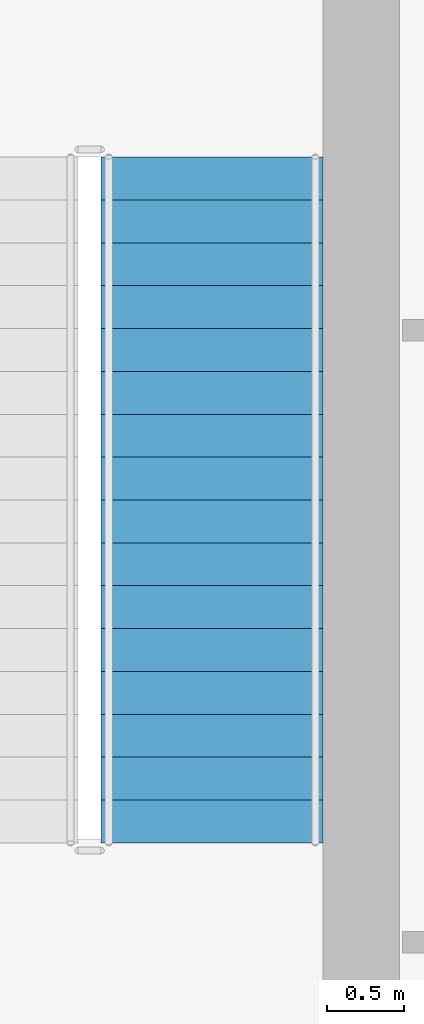
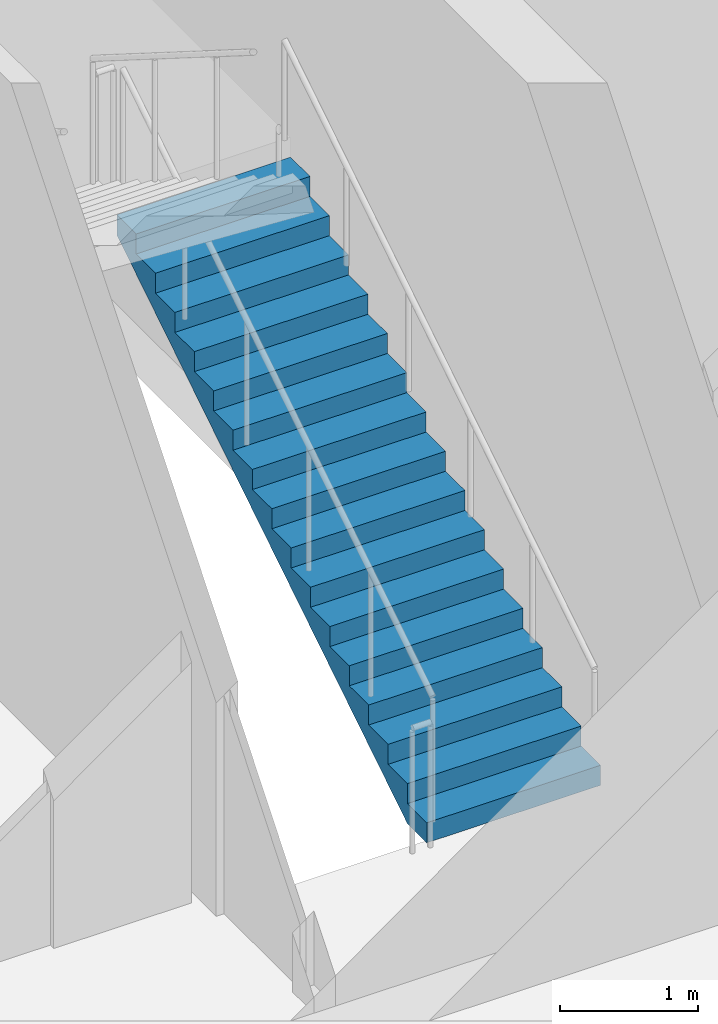
# One storey, part 31 of 34: 1 stair flight, 1 element without a shape of its own.
"""IFC4 building model written with IfcOpenShell, lengths in metres."""

from ifc_helpers import new_model, si_unit, direction, frame, origin, place, context, subcontext, project, spatial, polyline, outline, extrude, material, type_object, element, aggregate, save


model = new_model("IFC4")

# Units and contexts
model_context = context("Model", 3, precision=1e-05, world=origin(), true_north=direction((0.0, 1.0)))
body_context = subcontext(model_context, "Body", "Model", "MODEL_VIEW")
ifc_project = project(units=[si_unit("LENGTHUNIT", "METRE"), si_unit("AREAUNIT", "SQUARE_METRE"), si_unit("VOLUMEUNIT", "CUBIC_METRE"), si_unit("PLANEANGLEUNIT", "RADIAN"), si_unit("MASSUNIT", "GRAM", prefix="KILO")], contexts=[model_context])

# Site, building, storey
site_placement = place(None, origin())
site = spatial("IfcSite", under=ifc_project, at=site_placement, CompositionType="ELEMENT")
building_placement = place(site_placement, origin())
building = spatial("IfcBuilding", under=site, at=building_placement, Name="Saevonmaru Cultural Tower", CompositionType="ELEMENT")
storey_placement = place(building_placement, frame((0.0, 0.0, 224.60009765625)))
storey = spatial("IfcBuildingStorey", under=building, at=storey_placement, Name="L52", CompositionType="ELEMENT", Elevation=224.60009765625)

# Stair, stair flight
ifc_material_1 = material(Name="Concrete C40/50", Category="concrete")
stair_type = type_object("IfcStairType", Name="STR-DOGLEG-RC", PredefinedType="HALF_TURN_STAIR", material=ifc_material_1)
stair_placement = place(storey_placement, origin())
stair = element("IfcStair", 1, at=stair_placement, inside=storey, type_object=stair_type, Name="L52 Protected exit stair ST-2", PredefinedType="HALF_TURN_STAIR")
ifc_material_2 = material(Name="Precast concrete C40/50", Category="concrete")
stair_flight_type = type_object("IfcStairFlightType", Name="STF-PRECAST-180", PredefinedType="STRAIGHT", material=ifc_material_2)
stair_flight_placement = place(storey_placement, frame((45.074951171875, 44.85009765625, 0.0), z_axis=(0.0, 0.0, 1.0), x_axis=(0.0, 1.0, 0.0)))
stair_flight = element("IfcStairFlight", 2, at=stair_flight_placement, type_object=stair_flight_type, Name="ST-2-L52 flight 1", NumberOfRisers=17, NumberOfTreads=16, PredefinedType="STRAIGHT", RiserHeight=0.176470588, TreadLength=0.28, context=body_context, shape_type="SweptSolid", body=[
    extrude(outline(polyline([(0.0, 0.0), (0.0, 0.176513671875), (0.280029296875, 0.176513671875), (0.280029296875, 0.35302734375), (0.56005859375, 0.35302734375), (0.56005859375, 0.529296875), (0.840087890625, 0.529296875), (0.840087890625, 0.705810546875), (1.1201171875, 0.705810546875), (1.1201171875, 0.88232421875), (1.39990234375, 0.88232421875), (1.39990234375, 1.058837890625), (1.679931640625, 1.058837890625), (1.679931640625, 1.2353515625), (1.9599609375, 1.2353515625), (1.9599609375, 1.411865234375), (2.239990234375, 1.411865234375), (2.239990234375, 1.588134765625), (2.52001953125, 1.588134765625), (2.52001953125, 1.7646484375), (2.800048828125, 1.7646484375), (2.800048828125, 1.941162109375), (3.080078125, 1.941162109375), (3.080078125, 2.11767578125), (3.360107421875, 2.11767578125), (3.360107421875, 2.294189453125), (3.639892578125, 2.294189453125), (3.639892578125, 2.470703125), (3.919921875, 2.470703125), (3.919921875, 2.64697265625), (4.199951171875, 2.64697265625), (4.199951171875, 2.823486328125), (4.47998046875, 2.823486328125), (4.47998046875, 3.0), (4.47998046875, 2.646240234375), (0.28125, 0.0), (0.0, 0.0)])), frame((0.0, 0.72509765625, 0.0), z_axis=(0.0, -1.0, 0.0), x_axis=(1.0, 0.0, 0.0)), (0.0, 0.0, 1.0), 1.449951171875),
])
aggregate(stair, [stair_flight])

save(model, "model.ifc")
